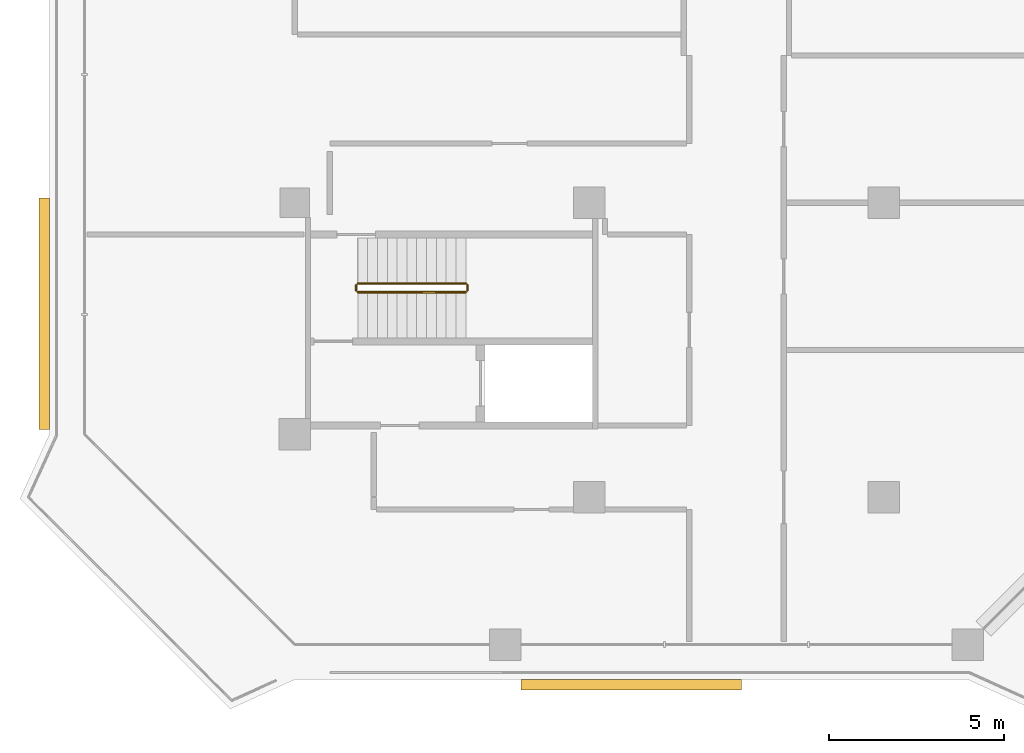
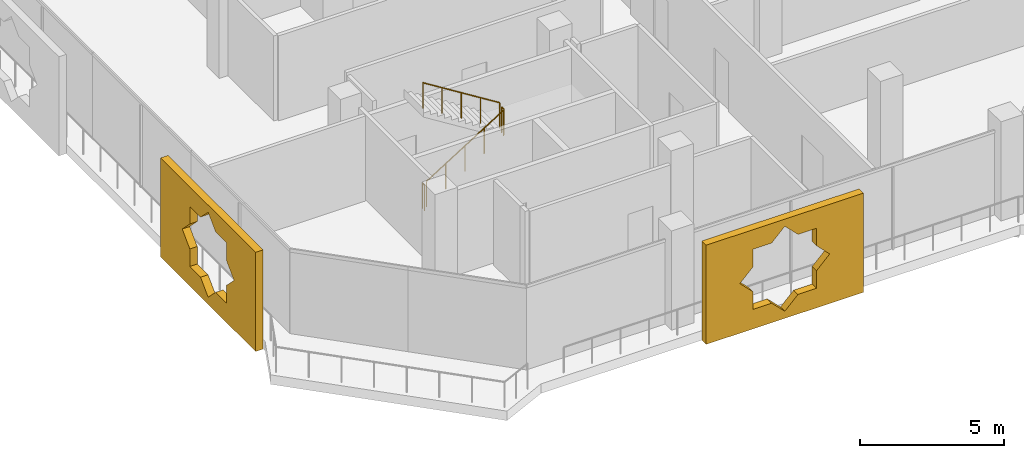
# One storey, part 15 of 21: 4 railings, 2 coverings.
"""IFC4 building model written with IfcOpenShell, lengths in metres."""

import ifcopenshell
import ifcopenshell.guid

model = None  # the IFC model being written
_history = None  # IfcOwnerHistory: only IFC2X3 demands one
_inside = {}  # id of a spatial element -> (the spatial element, [elements in it])
_under = {}  # id of a project, library or spatial element -> (it, [spatial elements below it])
_declared = {}  # id of a project -> (the project, [libraries it declares])
_typed = {}  # id of a type object -> (the type object, [elements of that type])
_made_of = {}  # id of a material, layer set ... -> (it, [elements and type objects made of it])


def new_model(schema):
    """Start an empty IFC model of exactly this schema.

    Asked for "IFC4X3", IfcOpenShell would pick the latest addendum, in which some entities
    have other attributes; the version numbers below select the first issue.
    IFC2X3 requires an IfcOwnerHistory on every rooted entity: one is made here for all.
    """
    global model, _history
    if schema == "IFC4X3":
        model = ifcopenshell.file(schema_version=(4, 3, 0, 0))
    else:
        model = ifcopenshell.file(schema=schema)
    _inside.clear()
    _under.clear()
    _declared.clear()
    _typed.clear()
    _made_of.clear()
    _history = None
    if model.schema == "IFC2X3":
        org = make("IfcOrganization", Name="unknown")
        user = make(
            "IfcPersonAndOrganization",
            ThePerson=make("IfcPerson", FamilyName="unknown"),
            TheOrganization=org,
        )
        app = make(
            "IfcApplication",
            ApplicationDeveloper=org,
            Version="unknown",
            ApplicationFullName="unknown",
            ApplicationIdentifier="unknown",
        )
        _history = make(
            "IfcOwnerHistory",
            OwningUser=user,
            OwningApplication=app,
            ChangeAction="ADDED",
            CreationDate=0,
        )
    return model


def make(cls, **values):
    """One entity of the class cls with the attributes given. An attribute that is None is left unset."""
    return model.create_entity(
        cls, **{name: value for name, value in values.items() if value is not None}
    )


def rooted(cls, **values):
    """An entity with a GlobalId (a new one), such as an element, a storey or a relation."""
    return make(cls, GlobalId=ifcopenshell.guid.new(), OwnerHistory=_history, **values)


def si_unit(unit_type, name, prefix=None):
    """IfcSIUnit, for example si_unit("LENGTHUNIT", "METRE", prefix="MILLI")."""
    return make("IfcSIUnit", UnitType=unit_type, Prefix=prefix, Name=name)


def assignment(units):
    """IfcUnitAssignment: the units of a project."""
    return None if units is None else make("IfcUnitAssignment", Units=units)


def point(xyz):
    """IfcCartesianPoint."""
    return None if xyz is None else make("IfcCartesianPoint", Coordinates=xyz)


def direction(xyz):
    """IfcDirection."""
    return None if xyz is None else make("IfcDirection", DirectionRatios=xyz)


def frame(location, z_axis=None, x_axis=None):
    """IfcAxis2Placement3D, a coordinate frame: its origin and axes. An axis left out is left unset."""
    return make(
        "IfcAxis2Placement3D",
        Location=point(location),
        Axis=direction(z_axis),
        RefDirection=direction(x_axis),
    )


def frame_2d(location, x_axis=None):
    """IfcAxis2Placement2D, a coordinate frame in the plane: its origin and x axis."""
    return make(
        "IfcAxis2Placement2D", Location=point(location), RefDirection=direction(x_axis)
    )


def origin():
    """The frame at (0, 0, 0) with its axes left unset."""
    return frame((0.0, 0.0, 0.0))


def origin_2d():
    """The frame at (0, 0) in the plane with its x axis left unset."""
    return frame_2d((0.0, 0.0))


def place(relative_to, where):
    """IfcLocalPlacement: puts the frame where relative to a parent placement (None: the world)."""
    return make(
        "IfcLocalPlacement", PlacementRelTo=relative_to, RelativePlacement=where
    )


def context(
    kind, dimensions, precision=None, world=None, true_north=None, identifier=None
):
    """IfcGeometricRepresentationContext, for example the 3D "Model" context."""
    return make(
        "IfcGeometricRepresentationContext",
        ContextIdentifier=identifier,
        ContextType=kind,
        CoordinateSpaceDimension=dimensions,
        Precision=precision,
        WorldCoordinateSystem=world,
        TrueNorth=true_north,
    )


def subcontext(parent, identifier, kind, view, scale=None):
    """IfcGeometricRepresentationSubContext, for example "Body" below "Model"."""
    return make(
        "IfcGeometricRepresentationSubContext",
        ContextIdentifier=identifier,
        ContextType=kind,
        ParentContext=parent,
        TargetScale=scale,
        TargetView=view,
    )


def project(units=None, contexts=None):
    """IfcProject with its units and contexts."""
    return rooted(
        "IfcProject",
        Name="project",
        RepresentationContexts=contexts,
        UnitsInContext=assignment(units),
    )


def spatial(cls, under=None, at=None, **own):
    """A site, building, storey or space (cls), placed at a placement, below another one or the project."""
    s = rooted(cls, ObjectPlacement=at, **own)
    if under is not None:
        _under.setdefault(under.id(), (under, []))[1].append(s)
    return s


def polyline(points):
    """IfcPolyline through the points."""
    return make("IfcPolyline", Points=[point(p) for p in points])


def profile(cls, at=None, kind="AREA", **sizes):
    """A parametric profile (cls). Its sizes go by their IFC names, for example OverallWidth=200.0."""
    return make(cls, ProfileType=kind, Position=at, **sizes)


def circle(**sizes):
    """IfcCircleProfileDef."""
    return profile("IfcCircleProfileDef", **sizes)


def outline(outer, holes=None, kind="AREA"):
    """IfcArbitraryClosedProfileDef: a profile drawn as a closed curve; with holes, ...WithVoids."""
    if holes is None:
        return make("IfcArbitraryClosedProfileDef", ProfileType=kind, OuterCurve=outer)
    return make(
        "IfcArbitraryProfileDefWithVoids",
        ProfileType=kind,
        OuterCurve=outer,
        InnerCurves=holes,
    )


def extrude(swept, where, along, depth):
    """IfcExtrudedAreaSolid: the profile swept, set in the frame where, extruded along a direction by depth."""
    return make(
        "IfcExtrudedAreaSolid",
        SweptArea=swept,
        Position=where,
        ExtrudedDirection=direction(along),
        Depth=depth,
    )


def shape(context_of_items, identifier, shape_type, items):
    """IfcShapeRepresentation: the items that make up one representation, for example the "Body"."""
    return make(
        "IfcShapeRepresentation",
        ContextOfItems=context_of_items,
        RepresentationIdentifier=identifier,
        RepresentationType=shape_type,
        Items=items,
    )


def material(Name=None, Category=None):
    """IfcMaterial."""
    return make("IfcMaterial", Name=Name, Category=Category)


def material_profile(
    of_material, cross_section, Name=None, Category=None, Priority=None
):
    """IfcMaterialProfile: a cross section and its material."""
    return make(
        "IfcMaterialProfile",
        Name=Name,
        Material=of_material,
        Profile=cross_section,
        Priority=Priority,
        Category=Category,
    )


def profile_set(profiles, Name=None, composite=None):
    """IfcMaterialProfileSet."""
    return make(
        "IfcMaterialProfileSet",
        Name=Name,
        MaterialProfiles=profiles,
        CompositeProfile=composite,
    )


def made_of(thing, what):
    """Note that an element or type object is made of a material, layer set ...; save() writes the relation."""
    if what is not None:
        _made_of.setdefault(what.id(), (what, []))[1].append(thing)
    return thing


def type_object(cls, material=None, **own):
    """A type object (cls), such as IfcWallType, which elements share."""
    return made_of(rooted(cls, **own), material)


def element(
    cls,
    number,
    at=None,
    inside=None,
    cuts=None,
    type_object=None,
    material=None,
    context=None,
    identifier="Body",
    shape_type=None,
    held_by="IfcProductDefinitionShape",
    body=None,
    shapes=None,
    **own,
):
    """One element of the class cls, such as IfcWall. Its Tag is "e" and its number.

    at: its placement. inside: the storey or other place that contains it. cuts: it is an
    opening in that element (IfcRelVoidsElement). A single representation is given by context,
    identifier, shape_type and body (its items); several are given by shapes. held_by: the class
    of the entity that holds the representations. save() writes the other relations.
    """
    e = rooted(cls, Tag="e%d" % number, ObjectPlacement=at, **own)
    if body is not None:
        shapes = [shape(context, identifier, shape_type, body)]
    if shapes is not None:
        e.Representation = make(held_by, Representations=shapes)
    if inside is not None:
        _inside.setdefault(inside.id(), (inside, []))[1].append(e)
    if cuts is not None:
        rooted(
            "IfcRelVoidsElement", RelatingBuildingElement=cuts, RelatedOpeningElement=e
        )
    if type_object is not None:
        _typed.setdefault(type_object.id(), (type_object, []))[1].append(e)
    return made_of(e, material)


def aggregate(whole, parts):
    """IfcRelAggregates: a whole, such as a stair, and the parts it consists of."""
    return rooted("IfcRelAggregates", RelatingObject=whole, RelatedObjects=parts)


def save(model, path):
    """Write the relations noted so far, then the file.

    IfcRelAggregates (storeys below a building ...), IfcRelContainedInSpatialStructure (elements
    in a storey), IfcRelDefinesByType, IfcRelAssociatesMaterial and IfcRelDeclares: one each for
    every whole, place, type object, material and project.
    """
    for whole, parts in _under.values():
        aggregate(whole, parts)
    for where, things in _inside.values():
        rooted(
            "IfcRelContainedInSpatialStructure",
            RelatedElements=things,
            RelatingStructure=where,
        )
    for kind, things in _typed.values():
        rooted("IfcRelDefinesByType", RelatedObjects=things, RelatingType=kind)
    for what, things in _made_of.values():
        rooted("IfcRelAssociatesMaterial", RelatedObjects=things, RelatingMaterial=what)
    for by, libraries in _declared.values():
        rooted("IfcRelDeclares", RelatingContext=by, RelatedDefinitions=libraries)
    model.write(path)


model = new_model("IFC4")

# Units and contexts
model_context = context("Model", 3, precision=1e-05, world=origin(), true_north=direction((0.0, 1.0)))
body_context = subcontext(model_context, "Body", "Model", "MODEL_VIEW")
ifc_project = project(units=[si_unit("LENGTHUNIT", "METRE"), si_unit("AREAUNIT", "SQUARE_METRE"), si_unit("VOLUMEUNIT", "CUBIC_METRE"), si_unit("PLANEANGLEUNIT", "RADIAN"), si_unit("MASSUNIT", "GRAM", prefix="KILO")], contexts=[model_context])

# Site, building, storey
site_placement = place(None, origin())
site = spatial("IfcSite", under=ifc_project, at=site_placement, CompositionType="ELEMENT")
building_placement = place(site_placement, origin())
building = spatial("IfcBuilding", under=site, at=building_placement, Name="Kawkab Arch Medical Tower", CompositionType="ELEMENT")
storey_placement = place(building_placement, frame((0.0, 0.0, 230.60009765625)))
storey = spatial("IfcBuildingStorey", under=building, at=storey_placement, Name="L53", CompositionType="ELEMENT", Elevation=230.60009765625)

# Coverings
ifc_material_1 = material(Name="Bronze anodised aluminium mashrabiya panel, eight-point star pattern", Category="aluminium")
ifc_material_profile_1 = material_profile(ifc_material_1, outline(polyline([(-3.14990234375, -2.10009765625), (3.14990234375, -2.10009765625), (3.14990234375, 2.10009765625), (-3.14990234375, 2.10009765625), (-3.14990234375, -2.10009765625)]), holes=[polyline([(1.800048828125, 0.0), (1.272705078125, 0.527099609375), (1.272705078125, 1.272705078125), (0.527099609375, 1.272705078125), (0.0, 1.800048828125), (-0.527099609375, 1.272705078125), (-1.272705078125, 1.272705078125), (-1.272705078125, 0.527099609375), (-1.800048828125, 0.0), (-1.272705078125, -0.527099609375), (-1.272705078125, -1.272705078125), (-0.527099609375, -1.272705078125), (0.0, -1.800048828125), (0.527099609375, -1.272705078125), (1.272705078125, -1.272705078125), (1.272705078125, -0.527099609375), (1.800048828125, 0.0)])]), Name="Mashrabiya panel 6300x4200")
ifc_profile_set_1 = profile_set([ifc_material_profile_1], Name="Bronze anodised aluminium mashrabiya panel, eight-point star pattern")
covering_type_1 = type_object("IfcCoveringType", Name="Mashrabiya panel 6300 x 4200", PredefinedType="USERDEFINED", material=ifc_profile_set_1)
covering_1_placement = place(storey_placement, frame((9.60009765625, -47.199951171875, 1.699951171875), z_axis=(0.0, -1.0, 0.0), x_axis=(1.0, 0.0, 0.0)))
element("IfcCovering", 1, at=covering_1_placement, inside=storey, type_object=covering_type_1, Name="Mashrabiya panel L53.LOG-01-01.3", ObjectType="SCREEN", PredefinedType="USERDEFINED", context=body_context, shape_type="SweptSolid", body=[
    extrude(outline(polyline([(-3.14990234375, -2.10009765625), (3.14990234375, -2.10009765625), (3.14990234375, 2.10009765625), (-3.14990234375, 2.10009765625), (-3.14990234375, -2.10009765625)]), holes=[polyline([(1.800048828125, 0.0), (1.272705078125, 0.527099609375), (1.272705078125, 1.272705078125), (0.527099609375, 1.272705078125), (0.0, 1.800048828125), (-0.527099609375, 1.272705078125), (-1.272705078125, 1.272705078125), (-1.272705078125, 0.527099609375), (-1.800048828125, 0.0), (-1.272705078125, -0.527099609375), (-1.272705078125, -1.272705078125), (-0.527099609375, -1.272705078125), (0.0, -1.800048828125), (0.527099609375, -1.272705078125), (1.272705078125, -1.272705078125), (1.272705078125, -0.527099609375), (1.800048828125, 0.0)])]), origin(), (0.0, 0.0, 1.0), 0.300048828125),
])
ifc_material_2 = material(Name="Bronze anodised aluminium mashrabiya panel, eight-point star pattern", Category="aluminium")
ifc_material_profile_2 = material_profile(ifc_material_2, outline(polyline([(-3.300048828125, -2.10009765625), (3.300048828125, -2.10009765625), (3.300048828125, 2.10009765625), (-3.300048828125, 2.10009765625), (-3.300048828125, -2.10009765625)]), holes=[polyline([(1.800048828125, 0.0), (1.272705078125, 0.527099609375), (1.272705078125, 1.272705078125), (0.527099609375, 1.272705078125), (0.0, 1.800048828125), (-0.527099609375, 1.272705078125), (-1.272705078125, 1.272705078125), (-1.272705078125, 0.527099609375), (-1.800048828125, 0.0), (-1.272705078125, -0.527099609375), (-1.272705078125, -1.272705078125), (-0.527099609375, -1.272705078125), (0.0, -1.800048828125), (0.527099609375, -1.272705078125), (1.272705078125, -1.272705078125), (1.272705078125, -0.527099609375), (1.800048828125, 0.0)])]), Name="Mashrabiya panel 6600x4200")
ifc_profile_set_2 = profile_set([ifc_material_profile_2], Name="Bronze anodised aluminium mashrabiya panel, eight-point star pattern")
covering_type_2 = type_object("IfcCoveringType", Name="Mashrabiya panel 6600 x 4200", PredefinedType="USERDEFINED", material=ifc_profile_set_2)
covering_2_placement = place(storey_placement, frame((-7.0, -36.76171875, 1.699951171875), z_axis=(-1.0, 0.0, 0.0), x_axis=(0.0, -1.0, 0.0)))
element("IfcCovering", 2, at=covering_2_placement, inside=storey, type_object=covering_type_2, Name="Mashrabiya panel L53.LOG-01-01.4", ObjectType="SCREEN", PredefinedType="USERDEFINED", context=body_context, shape_type="SweptSolid", body=[
    extrude(outline(polyline([(-3.300048828125, -2.10009765625), (3.300048828125, -2.10009765625), (3.300048828125, 2.10009765625), (-3.300048828125, 2.10009765625), (-3.300048828125, -2.10009765625)]), holes=[polyline([(1.800048828125, 0.0), (1.272705078125, 0.527099609375), (1.272705078125, 1.272705078125), (0.527099609375, 1.272705078125), (0.0, 1.800048828125), (-0.527099609375, 1.272705078125), (-1.272705078125, 1.272705078125), (-1.272705078125, 0.527099609375), (-1.800048828125, 0.0), (-1.272705078125, -0.527099609375), (-1.272705078125, -1.272705078125), (-0.527099609375, -1.272705078125), (0.0, -1.800048828125), (0.527099609375, -1.272705078125), (1.272705078125, -1.272705078125), (1.272705078125, -0.527099609375), (1.800048828125, 0.0)])]), origin(), (0.0, 0.0, 1.0), 0.300048828125),
])

# Railings
ifc_material_3 = material(Name="Stainless steel", Category="steel")
railing_type = type_object("IfcRailingType", Name="Stair guard 1100", PredefinedType="GUARDRAIL", material=ifc_material_3)
railing_1_placement = place(storey_placement, frame((1.800048828125, -36.14990234375, 0.1748046875)))
element("IfcRailing", 3, at=railing_1_placement, inside=storey, type_object=railing_type, Name="L53 ST6 stair guard 1", PredefinedType="GUARDRAIL", context=body_context, shape_type="SweptSolid", body=[
    extrude(circle(Radius=0.02392578125, at=origin_2d()), frame((0.0, 0.0, 1.076171875), z_axis=(0.847979421464, 0.0, 0.530029150871), x_axis=(0.0, 1.0, 0.0)), (0.0, 0.0, 1.0), 3.632080078125),
    extrude(circle(Radius=0.02099609375, at=origin_2d()), origin(), (0.0, 0.0, 1.0), 1.052001953125),
    extrude(circle(Radius=0.02099609375, at=origin_2d()), frame((0.77001953125, 0.0, 0.481201171875)), (0.0, 0.0, 1.0), 1.052001953125),
    extrude(circle(Radius=0.02099609375, at=origin_2d()), frame((1.5400390625, 0.0, 0.96240234375)), (0.0, 0.0, 1.0), 1.052001953125),
    extrude(circle(Radius=0.02099609375, at=origin_2d()), frame((2.309814453125, 0.0, 1.44384765625)), (0.0, 0.0, 1.0), 1.052001953125),
    extrude(circle(Radius=0.02099609375, at=origin_2d()), frame((3.079833984375, 0.0, 1.925048828125)), (0.0, 0.0, 1.0), 1.052001953125),
])
railing_2_placement = place(storey_placement, frame((4.929931640625, -36.10009765625, 2.099853515625)))
element("IfcRailing", 4, at=railing_2_placement, inside=storey, type_object=railing_type, Name="L53 ST6 stair guard 2", PredefinedType="GUARDRAIL", context=body_context, shape_type="SweptSolid", body=[
    extrude(circle(Radius=0.02392578125, at=origin_2d()), frame((0.0, 0.0, 1.076171875), z_axis=(0.0, 1.0, 0.0), x_axis=(-1.0, 0.0, 0.0)), (0.0, 0.0, 1.0), 0.150146484375),
    extrude(circle(Radius=0.02099609375, at=origin_2d()), origin(), (0.0, 0.0, 1.0), 1.052001953125),
    extrude(circle(Radius=0.02099609375, at=origin_2d()), frame((0.0, 0.150146484375, 0.0)), (0.0, 0.0, 1.0), 1.052001953125),
])
railing_3_placement = place(storey_placement, frame((4.8798828125, -35.89990234375, 2.27490234375)))
element("IfcRailing", 5, at=railing_3_placement, inside=storey, type_object=railing_type, Name="L53 ST6 stair guard 3", PredefinedType="GUARDRAIL", context=body_context, shape_type="SweptSolid", body=[
    extrude(circle(Radius=0.02392578125, at=origin_2d()), frame((0.0, 0.0, 1.076171875), z_axis=(-0.847979421464, 0.0, 0.530029150871), x_axis=(0.0, -1.0, 0.0)), (0.0, 0.0, 1.0), 3.632080078125),
    extrude(circle(Radius=0.02099609375, at=origin_2d()), origin(), (0.0, 0.0, 1.0), 1.052001953125),
    extrude(circle(Radius=0.02099609375, at=origin_2d()), frame((-0.77001953125, 0.0, 0.481201171875)), (0.0, 0.0, 1.0), 1.052001953125),
    extrude(circle(Radius=0.02099609375, at=origin_2d()), frame((-1.5400390625, 0.0, 0.96240234375)), (0.0, 0.0, 1.0), 1.052001953125),
    extrude(circle(Radius=0.02099609375, at=origin_2d()), frame((-2.309814453125, 0.0, 1.44384765625)), (0.0, 0.0, 1.0), 1.052001953125),
    extrude(circle(Radius=0.02099609375, at=origin_2d()), frame((-3.079833984375, 0.0, 1.925048828125)), (0.0, 0.0, 1.0), 1.052001953125),
])
railing_4_placement = place(storey_placement, frame((1.75, -36.10009765625, 0.0)))
element("IfcRailing", 6, at=railing_4_placement, inside=storey, type_object=railing_type, Name="L53 ST6 stair guard 4", PredefinedType="GUARDRAIL", context=body_context, shape_type="SweptSolid", body=[
    extrude(circle(Radius=0.02392578125, at=origin_2d()), frame((0.0, 0.0, 1.076171875), z_axis=(0.0, 1.0, 0.0), x_axis=(-1.0, 0.0, 0.0)), (0.0, 0.0, 1.0), 0.150146484375),
    extrude(circle(Radius=0.02099609375, at=origin_2d()), origin(), (0.0, 0.0, 1.0), 1.052001953125),
    extrude(circle(Radius=0.02099609375, at=origin_2d()), frame((0.0, 0.150146484375, 0.0)), (0.0, 0.0, 1.0), 1.052001953125),
])

save(model, "model.ifc")
